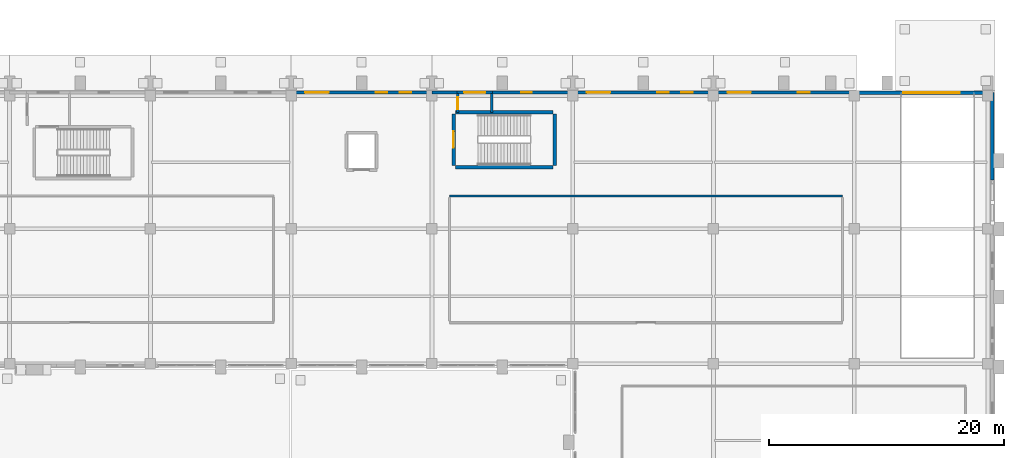
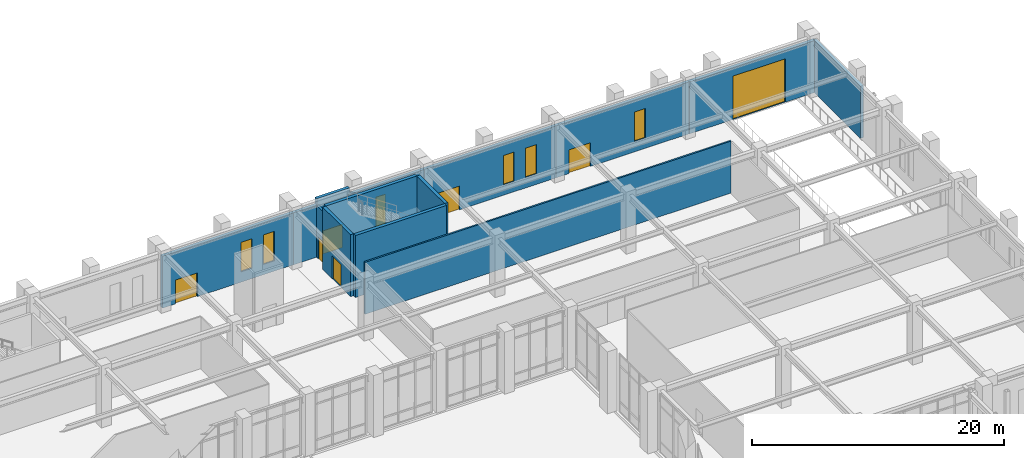
# One storey, part 121 of 143: 15 walls, 7 doors, 6 windows, 13 openings.
"""IFC4 building model written with IfcOpenShell, lengths in metres."""

import ifcopenshell
import ifcopenshell.guid

model = None  # the IFC model being written
_history = None  # IfcOwnerHistory: only IFC2X3 demands one
_inside = {}  # id of a spatial element -> (the spatial element, [elements in it])
_under = {}  # id of a project, library or spatial element -> (it, [spatial elements below it])
_declared = {}  # id of a project -> (the project, [libraries it declares])
_typed = {}  # id of a type object -> (the type object, [elements of that type])
_made_of = {}  # id of a material, layer set ... -> (it, [elements and type objects made of it])


def new_model(schema):
    """Start an empty IFC model of exactly this schema.

    Asked for "IFC4X3", IfcOpenShell would pick the latest addendum, in which some entities
    have other attributes; the version numbers below select the first issue.
    IFC2X3 requires an IfcOwnerHistory on every rooted entity: one is made here for all.
    """
    global model, _history
    if schema == "IFC4X3":
        model = ifcopenshell.file(schema_version=(4, 3, 0, 0))
    else:
        model = ifcopenshell.file(schema=schema)
    _inside.clear()
    _under.clear()
    _declared.clear()
    _typed.clear()
    _made_of.clear()
    _history = None
    if model.schema == "IFC2X3":
        org = make("IfcOrganization", Name="unknown")
        user = make(
            "IfcPersonAndOrganization",
            ThePerson=make("IfcPerson", FamilyName="unknown"),
            TheOrganization=org,
        )
        app = make(
            "IfcApplication",
            ApplicationDeveloper=org,
            Version="unknown",
            ApplicationFullName="unknown",
            ApplicationIdentifier="unknown",
        )
        _history = make(
            "IfcOwnerHistory",
            OwningUser=user,
            OwningApplication=app,
            ChangeAction="ADDED",
            CreationDate=0,
        )
    return model


def make(cls, **values):
    """One entity of the class cls with the attributes given. An attribute that is None is left unset."""
    return model.create_entity(
        cls, **{name: value for name, value in values.items() if value is not None}
    )


def rooted(cls, **values):
    """An entity with a GlobalId (a new one), such as an element, a storey or a relation."""
    return make(cls, GlobalId=ifcopenshell.guid.new(), OwnerHistory=_history, **values)


def si_unit(unit_type, name, prefix=None):
    """IfcSIUnit, for example si_unit("LENGTHUNIT", "METRE", prefix="MILLI")."""
    return make("IfcSIUnit", UnitType=unit_type, Prefix=prefix, Name=name)


def derived_unit(unit_type, elements):
    """IfcDerivedUnit: a product of units, each with its exponent."""
    return make(
        "IfcDerivedUnit",
        Elements=[
            make("IfcDerivedUnitElement", Unit=unit, Exponent=power)
            for unit, power in elements
        ],
        UnitType=unit_type,
    )


def assignment(units):
    """IfcUnitAssignment: the units of a project."""
    return None if units is None else make("IfcUnitAssignment", Units=units)


def point(xyz):
    """IfcCartesianPoint."""
    return None if xyz is None else make("IfcCartesianPoint", Coordinates=xyz)


def direction(xyz):
    """IfcDirection."""
    return None if xyz is None else make("IfcDirection", DirectionRatios=xyz)


def frame(location, z_axis=None, x_axis=None):
    """IfcAxis2Placement3D, a coordinate frame: its origin and axes. An axis left out is left unset."""
    return make(
        "IfcAxis2Placement3D",
        Location=point(location),
        Axis=direction(z_axis),
        RefDirection=direction(x_axis),
    )


def frame_2d(location, x_axis=None):
    """IfcAxis2Placement2D, a coordinate frame in the plane: its origin and x axis."""
    return make(
        "IfcAxis2Placement2D", Location=point(location), RefDirection=direction(x_axis)
    )


def origin():
    """The frame at (0, 0, 0) with its axes left unset."""
    return frame((0.0, 0.0, 0.0))


def place(relative_to, where):
    """IfcLocalPlacement: puts the frame where relative to a parent placement (None: the world)."""
    return make(
        "IfcLocalPlacement", PlacementRelTo=relative_to, RelativePlacement=where
    )


def context(
    kind, dimensions, precision=None, world=None, true_north=None, identifier=None
):
    """IfcGeometricRepresentationContext, for example the 3D "Model" context."""
    return make(
        "IfcGeometricRepresentationContext",
        ContextIdentifier=identifier,
        ContextType=kind,
        CoordinateSpaceDimension=dimensions,
        Precision=precision,
        WorldCoordinateSystem=world,
        TrueNorth=true_north,
    )


def subcontext(parent, identifier, kind, view, scale=None):
    """IfcGeometricRepresentationSubContext, for example "Body" below "Model"."""
    return make(
        "IfcGeometricRepresentationSubContext",
        ContextIdentifier=identifier,
        ContextType=kind,
        ParentContext=parent,
        TargetScale=scale,
        TargetView=view,
    )


def project(units=None, contexts=None):
    """IfcProject with its units and contexts."""
    return rooted(
        "IfcProject",
        Name="project",
        RepresentationContexts=contexts,
        UnitsInContext=assignment(units),
    )


def spatial(cls, under=None, at=None, **own):
    """A site, building, storey or space (cls), placed at a placement, below another one or the project."""
    s = rooted(cls, ObjectPlacement=at, **own)
    if under is not None:
        _under.setdefault(under.id(), (under, []))[1].append(s)
    return s


def profile(cls, at=None, kind="AREA", **sizes):
    """A parametric profile (cls). Its sizes go by their IFC names, for example OverallWidth=200.0."""
    return make(cls, ProfileType=kind, Position=at, **sizes)


def rectangle(**sizes):
    """IfcRectangleProfileDef."""
    return profile("IfcRectangleProfileDef", **sizes)


def extrude(swept, where, along, depth):
    """IfcExtrudedAreaSolid: the profile swept, set in the frame where, extruded along a direction by depth."""
    return make(
        "IfcExtrudedAreaSolid",
        SweptArea=swept,
        Position=where,
        ExtrudedDirection=direction(along),
        Depth=depth,
    )


def shape(context_of_items, identifier, shape_type, items):
    """IfcShapeRepresentation: the items that make up one representation, for example the "Body"."""
    return make(
        "IfcShapeRepresentation",
        ContextOfItems=context_of_items,
        RepresentationIdentifier=identifier,
        RepresentationType=shape_type,
        Items=items,
    )


def material(Name=None, Category=None):
    """IfcMaterial."""
    return make("IfcMaterial", Name=Name, Category=Category)


def layer(
    of_material, thickness, ventilated=None, Name=None, Category=None, Priority=None
):
    """IfcMaterialLayer: one layer of a wall or slab, of a material (None: an air gap)."""
    return make(
        "IfcMaterialLayer",
        Material=of_material,
        LayerThickness=thickness,
        IsVentilated=ventilated,
        Name=Name,
        Category=Category,
        Priority=Priority,
    )


def layer_set(layers, Name=None):
    """IfcMaterialLayerSet."""
    return make("IfcMaterialLayerSet", MaterialLayers=layers, LayerSetName=Name)


def made_of(thing, what):
    """Note that an element or type object is made of a material, layer set ...; save() writes the relation."""
    if what is not None:
        _made_of.setdefault(what.id(), (what, []))[1].append(thing)
    return thing


def type_object(cls, material=None, **own):
    """A type object (cls), such as IfcWallType, which elements share."""
    return made_of(rooted(cls, **own), material)


def element(
    cls,
    number,
    at=None,
    inside=None,
    cuts=None,
    type_object=None,
    material=None,
    context=None,
    identifier="Body",
    shape_type=None,
    held_by="IfcProductDefinitionShape",
    body=None,
    shapes=None,
    **own,
):
    """One element of the class cls, such as IfcWall. Its Tag is "e" and its number.

    at: its placement. inside: the storey or other place that contains it. cuts: it is an
    opening in that element (IfcRelVoidsElement). A single representation is given by context,
    identifier, shape_type and body (its items); several are given by shapes. held_by: the class
    of the entity that holds the representations. save() writes the other relations.
    """
    e = rooted(cls, Tag="e%d" % number, ObjectPlacement=at, **own)
    if body is not None:
        shapes = [shape(context, identifier, shape_type, body)]
    if shapes is not None:
        e.Representation = make(held_by, Representations=shapes)
    if inside is not None:
        _inside.setdefault(inside.id(), (inside, []))[1].append(e)
    if cuts is not None:
        rooted(
            "IfcRelVoidsElement", RelatingBuildingElement=cuts, RelatedOpeningElement=e
        )
    if type_object is not None:
        _typed.setdefault(type_object.id(), (type_object, []))[1].append(e)
    return made_of(e, material)


def fill(opening, filler):
    """IfcRelFillsElement: the door or window that sits in an opening."""
    return rooted(
        "IfcRelFillsElement",
        RelatingOpeningElement=opening,
        RelatedBuildingElement=filler,
    )


def aggregate(whole, parts):
    """IfcRelAggregates: a whole, such as a stair, and the parts it consists of."""
    return rooted("IfcRelAggregates", RelatingObject=whole, RelatedObjects=parts)


def save(model, path):
    """Write the relations noted so far, then the file.

    IfcRelAggregates (storeys below a building ...), IfcRelContainedInSpatialStructure (elements
    in a storey), IfcRelDefinesByType, IfcRelAssociatesMaterial and IfcRelDeclares: one each for
    every whole, place, type object, material and project.
    """
    for whole, parts in _under.values():
        aggregate(whole, parts)
    for where, things in _inside.values():
        rooted(
            "IfcRelContainedInSpatialStructure",
            RelatedElements=things,
            RelatingStructure=where,
        )
    for kind, things in _typed.values():
        rooted("IfcRelDefinesByType", RelatedObjects=things, RelatingType=kind)
    for what, things in _made_of.values():
        rooted("IfcRelAssociatesMaterial", RelatedObjects=things, RelatingMaterial=what)
    for by, libraries in _declared.values():
        rooted("IfcRelDeclares", RelatingContext=by, RelatedDefinitions=libraries)
    model.write(path)


model = new_model("IFC4")

# Units and contexts
model_context = context("Model", 3, precision=1e-05, world=origin(), true_north=direction((0.0, 1.0)))
body_context = subcontext(model_context, "Body", "Model", "MODEL_VIEW")
ifc_project = project(units=[si_unit("LENGTHUNIT", "METRE"), si_unit("AREAUNIT", "SQUARE_METRE"), si_unit("VOLUMEUNIT", "CUBIC_METRE"), si_unit("PLANEANGLEUNIT", "RADIAN"), si_unit("MASSUNIT", "GRAM", prefix="KILO"), derived_unit("THERMALTRANSMITTANCEUNIT", [(si_unit("MASSUNIT", "GRAM", prefix="KILO"), 1), (si_unit("TIMEUNIT", "SECOND"), -3), (si_unit("THERMODYNAMICTEMPERATUREUNIT", "KELVIN"), -1)])], contexts=[model_context])

# Site, building, storey
site_placement = place(None, origin())
site = spatial("IfcSite", under=ifc_project, at=site_placement, CompositionType="ELEMENT")
building_placement = place(site_placement, origin())
building = spatial("IfcBuilding", under=site, at=building_placement, Name="Valcora Ridge Arena", CompositionType="ELEMENT")
storey_placement = place(building_placement, origin())
storey = spatial("IfcBuildingStorey", under=building, at=storey_placement, Name="L00", CompositionType="ELEMENT", Elevation=0.0)

# Wall, openings, door, windows
ifc_material_1 = material(Name="Bush-hammered Andean travertine on concrete backup C40/50", Category="masonry")
ifc_layer_1 = layer(ifc_material_1, 0.280029296875, Name="Bush-hammered Andean travertine on concrete backup C40/50")
ifc_layer_set_1 = layer_set([ifc_layer_1], Name="Bush-hammered Andean travertine on concrete backup C40/50")
wall_type_1 = type_object("IfcWallType", Name="TY-WALL-EW-TRV-28-50", PredefinedType="STANDARD", material=ifc_layer_set_1)
wall_1_placement = place(storey_placement, frame((132.0, 131.820068359375, 0.0), z_axis=(0.0, 0.0, 1.0), x_axis=(1.0, 0.0, 0.0)))
wall_1 = element("IfcWall", 1, at=wall_1_placement, inside=storey, type_object=wall_type_1, Name="EW-TRV-28-50 WAL-EW-0116", PredefinedType="STANDARD", context=body_context, shape_type="SweptSolid", body=[
    extrude(rectangle(XDim=12.0, YDim=0.280029296875, at=frame_2d((6.0, 0.0))), origin(), (0.0, 0.0, 1.0), 5.028076171875),
])
opening_1_placement = place(wall_1_placement, frame((1.199951171875, 0.0, 0.0)))
opening_1 = element("IfcOpeningElement", 2, at=opening_1_placement, cuts=wall_1, Name="Opening D-EXIT-2000", PredefinedType="OPENING", context=body_context, shape_type="SweptSolid", body=[
    extrude(rectangle(XDim=2.0, YDim=2.300048828125, at=frame_2d((1.0, 1.14990234375))), frame((0.0, 0.14990234375, 0.0), z_axis=(0.0, -1.0, 0.0), x_axis=(1.0, 0.0, 0.0)), (0.0, 0.0, 1.0), 0.300048828125),
])
opening_2_placement = place(wall_1_placement, frame((7.199951171875, 0.0, 1.0)))
opening_2 = element("IfcOpeningElement", 3, at=opening_2_placement, cuts=wall_1, Name="Opening W-LAN-100X285", PredefinedType="OPENING", context=body_context, shape_type="SweptSolid", body=[
    extrude(rectangle(XDim=1.0, YDim=2.85009765625, at=frame_2d((0.5, 1.425048828125))), frame((0.0, 0.14990234375, 0.0), z_axis=(0.0, -1.0, 0.0), x_axis=(1.0, 0.0, 0.0)), (0.0, 0.0, 1.0), 0.300048828125),
])
opening_3_placement = place(wall_1_placement, frame((9.25, 0.0, 1.0)))
opening_3 = element("IfcOpeningElement", 4, at=opening_3_placement, cuts=wall_1, Name="Opening W-LAN-100X285", PredefinedType="OPENING", context=body_context, shape_type="SweptSolid", body=[
    extrude(rectangle(XDim=1.0, YDim=2.85009765625, at=frame_2d((0.5, 1.425048828125))), frame((0.0, 0.14990234375, 0.0), z_axis=(0.0, -1.0, 0.0), x_axis=(1.0, 0.0, 0.0)), (0.0, 0.0, 1.0), 0.300048828125),
])
ifc_material_2 = material(Name="Thermally broken bronze aluminium glazed entrance leaf", Category="aluminium")
door_type_1 = type_object("IfcDoorType", Name="TY-DOOR-D-EXIT-2000", OperationType="NOTDEFINED", PredefinedType="DOOR", material=ifc_material_2)
door_1_placement = place(opening_1_placement, origin())
door_1 = element("IfcDoor", 5, at=door_1_placement, inside=storey, type_object=door_type_1, Name="D-EXIT-2000 DOR-EX-0032", OperationType="DOUBLE_DOOR_SINGLE_SWING", OverallHeight=2.300048828125, OverallWidth=2.0, PredefinedType="DOOR", context=body_context, shape_type="SweptSolid", body=[
    extrude(rectangle(XDim=2.0, YDim=2.300048828125, at=frame_2d((1.0, 1.14990234375))), frame((0.0, 0.02490234375, 0.0), z_axis=(0.0, -1.0, 0.0), x_axis=(1.0, 0.0, 0.0)), (0.0, 0.0, 1.0), 0.050048828125),
])
fill(opening_1, door_1)
ifc_material_3 = material(Name="Low-iron solar-control double glazing SHGC 0.28", Category="glass")
window_type_1 = type_object("IfcWindowType", Name="TY-WINDOW-W-LAN-100X285", PartitioningType="DOUBLE_PANEL_VERTICAL", PredefinedType="WINDOW", material=ifc_material_3)
window_1_placement = place(opening_2_placement, origin())
window_1 = element("IfcWindow", 6, at=window_1_placement, inside=storey, type_object=window_type_1, Name="W-LAN-100X285 WIN-EX-0356", OverallHeight=2.85009765625, OverallWidth=1.0, PartitioningType="DOUBLE_PANEL_VERTICAL", PredefinedType="WINDOW", context=body_context, shape_type="SweptSolid", body=[
    extrude(rectangle(XDim=1.0, YDim=2.85009765625, at=frame_2d((0.5, 1.425048828125))), frame((0.0, 0.030029296875, 0.0), z_axis=(0.0, -1.0, 0.0), x_axis=(1.0, 0.0, 0.0)), (0.0, 0.0, 1.0), 0.06005859375),
])
fill(opening_2, window_1)
window_2_placement = place(opening_3_placement, origin())
window_2 = element("IfcWindow", 7, at=window_2_placement, inside=storey, type_object=window_type_1, Name="W-LAN-100X285 WIN-EX-0357", OverallHeight=2.85009765625, OverallWidth=1.0, PartitioningType="DOUBLE_PANEL_VERTICAL", PredefinedType="WINDOW", context=body_context, shape_type="SweptSolid", body=[
    extrude(rectangle(XDim=1.0, YDim=2.85009765625, at=frame_2d((0.5, 1.425048828125))), frame((0.0, 0.030029296875, 0.0), z_axis=(0.0, -1.0, 0.0), x_axis=(1.0, 0.0, 0.0)), (0.0, 0.0, 1.0), 0.06005859375),
])
fill(opening_3, window_2)

# Wall
wall_2_placement = place(storey_placement, frame((144.0, 131.820068359375, 0.0), z_axis=(0.0, 0.0, 1.0), x_axis=(1.0, 0.0, 0.0)))
element("IfcWall", 8, at=wall_2_placement, inside=storey, type_object=wall_type_1, Name="EW-TRV-28-50 WAL-EW-0117", PredefinedType="STANDARD", context=body_context, shape_type="SweptSolid", body=[
    extrude(rectangle(XDim=2.14990234375, YDim=0.280029296875, at=frame_2d((1.074951171875, 0.0))), origin(), (0.0, 0.0, 1.0), 5.028076171875),
])

# Wall, opening, window
wall_3_placement = place(storey_placement, frame((149.14990234375, 131.820068359375, 0.0), z_axis=(0.0, 0.0, 1.0), x_axis=(1.0, 0.0, 0.0)))
wall_3 = element("IfcWall", 9, at=wall_3_placement, inside=storey, type_object=wall_type_1, Name="EW-TRV-28-50 WAL-EW-0118", PredefinedType="STANDARD", context=body_context, shape_type="SweptSolid", body=[
    extrude(rectangle(XDim=6.85009765625, YDim=0.280029296875, at=frame_2d((3.425048828125, 0.0))), origin(), (0.0, 0.0, 1.0), 5.028076171875),
])
opening_4_placement = place(wall_3_placement, frame((2.449951171875, 0.0, 0.949951171875)))
opening_4 = element("IfcOpeningElement", 10, at=opening_4_placement, cuts=wall_3, Name="Opening W-GLAN-90X285", PredefinedType="OPENING", context=body_context, shape_type="SweptSolid", body=[
    extrude(rectangle(XDim=0.89990234375, YDim=2.85009765625, at=frame_2d((0.449951171875, 1.425048828125))), frame((0.0, 0.14990234375, 0.0), z_axis=(0.0, -1.0, 0.0), x_axis=(1.0, 0.0, 0.0)), (0.0, 0.0, 1.0), 0.300048828125),
])
window_type_2 = type_object("IfcWindowType", Name="TY-WINDOW-W-GLAN-90X285", PartitioningType="DOUBLE_PANEL_VERTICAL", PredefinedType="WINDOW", material=ifc_material_3)
window_3_placement = place(opening_4_placement, origin())
window_3 = element("IfcWindow", 11, at=window_3_placement, inside=storey, type_object=window_type_2, Name="W-GLAN-90X285 WIN-EX-0358", OverallHeight=2.85009765625, OverallWidth=0.89990234375, PartitioningType="DOUBLE_PANEL_VERTICAL", PredefinedType="WINDOW", context=body_context, shape_type="SweptSolid", body=[
    extrude(rectangle(XDim=0.89990234375, YDim=2.85009765625, at=frame_2d((0.449951171875, 1.425048828125))), frame((0.0, 0.030029296875, 0.0), z_axis=(0.0, -1.0, 0.0), x_axis=(1.0, 0.0, 0.0)), (0.0, 0.0, 1.0), 0.06005859375),
])
fill(opening_4, window_3)

# Wall, openings, door, windows
wall_4_placement = place(storey_placement, frame((156.0, 131.820068359375, 0.0), z_axis=(0.0, 0.0, 1.0), x_axis=(1.0, 0.0, 0.0)))
wall_4 = element("IfcWall", 12, at=wall_4_placement, inside=storey, type_object=wall_type_1, Name="EW-TRV-28-50 WAL-EW-0119", PredefinedType="STANDARD", context=body_context, shape_type="SweptSolid", body=[
    extrude(rectangle(XDim=12.0, YDim=0.280029296875, at=frame_2d((6.0, 0.0))), origin(), (0.0, 0.0, 1.0), 5.028076171875),
])
opening_5_placement = place(wall_4_placement, frame((1.199951171875, 0.0, 0.0)))
opening_5 = element("IfcOpeningElement", 13, at=opening_5_placement, cuts=wall_4, Name="Opening D-EXIT-2000", PredefinedType="OPENING", context=body_context, shape_type="SweptSolid", body=[
    extrude(rectangle(XDim=2.0, YDim=2.300048828125, at=frame_2d((1.0, 1.14990234375))), frame((0.0, 0.14990234375, 0.0), z_axis=(0.0, -1.0, 0.0), x_axis=(1.0, 0.0, 0.0)), (0.0, 0.0, 1.0), 0.300048828125),
])
opening_6_placement = place(wall_4_placement, frame((7.199951171875, 0.0, 1.0)))
opening_6 = element("IfcOpeningElement", 14, at=opening_6_placement, cuts=wall_4, Name="Opening W-LAN-100X285", PredefinedType="OPENING", context=body_context, shape_type="SweptSolid", body=[
    extrude(rectangle(XDim=1.0, YDim=2.85009765625, at=frame_2d((0.5, 1.425048828125))), frame((0.0, 0.14990234375, 0.0), z_axis=(0.0, -1.0, 0.0), x_axis=(1.0, 0.0, 0.0)), (0.0, 0.0, 1.0), 0.300048828125),
])
opening_7_placement = place(wall_4_placement, frame((9.25, 0.0, 1.0)))
opening_7 = element("IfcOpeningElement", 15, at=opening_7_placement, cuts=wall_4, Name="Opening W-LAN-100X285", PredefinedType="OPENING", context=body_context, shape_type="SweptSolid", body=[
    extrude(rectangle(XDim=1.0, YDim=2.85009765625, at=frame_2d((0.5, 1.425048828125))), frame((0.0, 0.14990234375, 0.0), z_axis=(0.0, -1.0, 0.0), x_axis=(1.0, 0.0, 0.0)), (0.0, 0.0, 1.0), 0.300048828125),
])
door_2_placement = place(opening_5_placement, origin())
door_2 = element("IfcDoor", 16, at=door_2_placement, inside=storey, type_object=door_type_1, Name="D-EXIT-2000 DOR-EX-0033", OperationType="DOUBLE_DOOR_SINGLE_SWING", OverallHeight=2.300048828125, OverallWidth=2.0, PredefinedType="DOOR", context=body_context, shape_type="SweptSolid", body=[
    extrude(rectangle(XDim=2.0, YDim=2.300048828125, at=frame_2d((1.0, 1.14990234375))), frame((0.0, 0.02490234375, 0.0), z_axis=(0.0, -1.0, 0.0), x_axis=(1.0, 0.0, 0.0)), (0.0, 0.0, 1.0), 0.050048828125),
])
fill(opening_5, door_2)
window_4_placement = place(opening_6_placement, origin())
window_4 = element("IfcWindow", 17, at=window_4_placement, inside=storey, type_object=window_type_1, Name="W-LAN-100X285 WIN-EX-0359", OverallHeight=2.85009765625, OverallWidth=1.0, PartitioningType="DOUBLE_PANEL_VERTICAL", PredefinedType="WINDOW", context=body_context, shape_type="SweptSolid", body=[
    extrude(rectangle(XDim=1.0, YDim=2.85009765625, at=frame_2d((0.5, 1.425048828125))), frame((0.0, 0.030029296875, 0.0), z_axis=(0.0, -1.0, 0.0), x_axis=(1.0, 0.0, 0.0)), (0.0, 0.0, 1.0), 0.06005859375),
])
fill(opening_6, window_4)
window_5_placement = place(opening_7_placement, origin())
window_5 = element("IfcWindow", 18, at=window_5_placement, inside=storey, type_object=window_type_1, Name="W-LAN-100X285 WIN-EX-0360", OverallHeight=2.85009765625, OverallWidth=1.0, PartitioningType="DOUBLE_PANEL_VERTICAL", PredefinedType="WINDOW", context=body_context, shape_type="SweptSolid", body=[
    extrude(rectangle(XDim=1.0, YDim=2.85009765625, at=frame_2d((0.5, 1.425048828125))), frame((0.0, 0.030029296875, 0.0), z_axis=(0.0, -1.0, 0.0), x_axis=(1.0, 0.0, 0.0)), (0.0, 0.0, 1.0), 0.06005859375),
])
fill(opening_7, window_5)

# Wall, openings, door, window
wall_5_placement = place(storey_placement, frame((168.0, 131.820068359375, 0.0), z_axis=(0.0, 0.0, 1.0), x_axis=(1.0, 0.0, 0.0)))
wall_5 = element("IfcWall", 19, at=wall_5_placement, inside=storey, type_object=wall_type_1, Name="EW-TRV-28-50 WAL-EW-0120", PredefinedType="STANDARD", context=body_context, shape_type="SweptSolid", body=[
    extrude(rectangle(XDim=12.199951171875, YDim=0.280029296875, at=frame_2d((6.10009765625, 0.0))), origin(), (0.0, 0.0, 1.0), 5.028076171875),
])
opening_8_placement = place(wall_5_placement, frame((1.199951171875, 0.0, 0.0)))
opening_8 = element("IfcOpeningElement", 20, at=opening_8_placement, cuts=wall_5, Name="Opening D-EXIT-2000", PredefinedType="OPENING", context=body_context, shape_type="SweptSolid", body=[
    extrude(rectangle(XDim=2.0, YDim=2.300048828125, at=frame_2d((1.0, 1.14990234375))), frame((0.0, 0.14990234375, 0.0), z_axis=(0.0, -1.0, 0.0), x_axis=(1.0, 0.0, 0.0)), (0.0, 0.0, 1.0), 0.300048828125),
])
opening_9_placement = place(wall_5_placement, frame((7.199951171875, 0.0, 1.0)))
opening_9 = element("IfcOpeningElement", 21, at=opening_9_placement, cuts=wall_5, Name="Opening W-LAN-100X285", PredefinedType="OPENING", context=body_context, shape_type="SweptSolid", body=[
    extrude(rectangle(XDim=1.0, YDim=2.85009765625, at=frame_2d((0.5, 1.425048828125))), frame((0.0, 0.14990234375, 0.0), z_axis=(0.0, -1.0, 0.0), x_axis=(1.0, 0.0, 0.0)), (0.0, 0.0, 1.0), 0.300048828125),
])
door_3_placement = place(opening_8_placement, origin())
door_3 = element("IfcDoor", 22, at=door_3_placement, inside=storey, type_object=door_type_1, Name="D-EXIT-2000 DOR-EX-0034", OperationType="DOUBLE_DOOR_SINGLE_SWING", OverallHeight=2.300048828125, OverallWidth=2.0, PredefinedType="DOOR", context=body_context, shape_type="SweptSolid", body=[
    extrude(rectangle(XDim=2.0, YDim=2.300048828125, at=frame_2d((1.0, 1.14990234375))), frame((0.0, 0.02490234375, 0.0), z_axis=(0.0, -1.0, 0.0), x_axis=(1.0, 0.0, 0.0)), (0.0, 0.0, 1.0), 0.050048828125),
])
fill(opening_8, door_3)
window_6_placement = place(opening_9_placement, origin())
window_6 = element("IfcWindow", 23, at=window_6_placement, inside=storey, type_object=window_type_1, Name="W-LAN-100X285 WIN-EX-0361", OverallHeight=2.85009765625, OverallWidth=1.0, PartitioningType="DOUBLE_PANEL_VERTICAL", PredefinedType="WINDOW", context=body_context, shape_type="SweptSolid", body=[
    extrude(rectangle(XDim=1.0, YDim=2.85009765625, at=frame_2d((0.5, 1.425048828125))), frame((0.0, 0.030029296875, 0.0), z_axis=(0.0, -1.0, 0.0), x_axis=(1.0, 0.0, 0.0)), (0.0, 0.0, 1.0), 0.06005859375),
])
fill(opening_9, window_6)

# Wall
wall_6_placement = place(storey_placement, frame((191.780029296875, 124.35009765625, 0.0), z_axis=(0.0, 0.0, 1.0), x_axis=(0.0, 1.0, 0.0)))
element("IfcWall", 24, at=wall_6_placement, inside=storey, type_object=wall_type_1, Name="EW-TRV-28-50 WAL-EW-0125", PredefinedType="STANDARD", context=body_context, shape_type="SweptSolid", body=[
    extrude(rectangle(XDim=7.449951171875, YDim=0.280029296875, at=frame_2d((3.72509765625, 0.0))), origin(), (0.0, 0.0, 1.0), 5.028076171875),
])

# Wall, opening, door
ifc_layer_2 = layer(ifc_material_1, 0.300048828125, Name="Bush-hammered Andean travertine on concrete backup C40/50")
ifc_layer_set_2 = layer_set([ifc_layer_2], Name="Bush-hammered Andean travertine on concrete backup C40/50")
wall_type_2 = type_object("IfcWallType", Name="TY-WALL-EW-TRV-30-50", PredefinedType="STANDARD", material=ifc_layer_set_2)
wall_7_placement = place(storey_placement, frame((180.199951171875, 131.800048828125, 0.0), z_axis=(0.0, 0.0, 1.0), x_axis=(1.0, 0.0, 0.0)))
wall_7 = element("IfcWall", 25, at=wall_7_placement, inside=storey, type_object=wall_type_2, Name="EW-TRV-30-50 WAL-EW-0104", PredefinedType="STANDARD", context=body_context, shape_type="SweptSolid", body=[
    extrude(rectangle(XDim=11.580078125, YDim=0.300048828125, at=frame_2d((5.7900390625, 0.0))), origin(), (0.0, 0.0, 1.0), 5.028076171875),
])
opening_10_placement = place(wall_7_placement, frame((4.0, 0.0, 0.0)))
opening_10 = element("IfcOpeningElement", 26, at=opening_10_placement, cuts=wall_7, Name="Opening RS-01", PredefinedType="OPENING", context=body_context, shape_type="SweptSolid", body=[
    extrude(rectangle(XDim=4.800048828125, YDim=4.199951171875, at=frame_2d((2.39990234375, 2.10009765625))), frame((0.0, 0.159912109375, 0.0), z_axis=(0.0, -1.0, 0.0), x_axis=(1.0, 0.0, 0.0)), (0.0, 0.0, 1.0), 0.320068359375),
])
ifc_material_4 = material(Name="Acoustic insulated galvanized steel roller shutter", Category="steel")
door_type_2 = type_object("IfcDoorType", Name="TY-DOOR-RS-01", OperationType="NOTDEFINED", PredefinedType="DOOR", material=ifc_material_4)
door_4_placement = place(opening_10_placement, origin())
door_4 = element("IfcDoor", 27, at=door_4_placement, inside=storey, type_object=door_type_2, Name="RS-01 DOR-EX-0024", OperationType="ROLLINGUP", OverallHeight=4.199951171875, OverallWidth=4.800048828125, PredefinedType="DOOR", context=body_context, shape_type="SweptSolid", body=[
    extrude(rectangle(XDim=4.800048828125, YDim=4.199951171875, at=frame_2d((2.39990234375, 2.10009765625))), frame((0.0, 0.02490234375, 0.0), z_axis=(0.0, -1.0, 0.0), x_axis=(1.0, 0.0, 0.0)), (0.0, 0.0, 1.0), 0.050048828125),
])
fill(opening_10, door_4)

ifc_layer_3 = layer(ifc_material_1, 0.280029296875, Name="Bush-hammered Andean travertine on concrete backup C40/50")
ifc_layer_set_3 = layer_set([ifc_layer_3], Name="Bush-hammered Andean travertine on concrete backup C40/50")
wall_type_3 = type_object("IfcWallType", Name="TY-WALL-EW-TRV-XP-56", PredefinedType="STANDARD", material=ifc_layer_set_3)
wall_8_placement = place(storey_placement, frame((146.14990234375, 131.820068359375, 0.0), z_axis=(0.0, 0.0, 1.0), x_axis=(1.0, 0.0, 0.0)))
wall_8 = element("IfcWall", 28, at=wall_8_placement, inside=storey, type_object=wall_type_3, Name="EW-TRV-XP-56 WAL-XP-0032", PredefinedType="STANDARD", context=body_context, shape_type="SweptSolid", body=[
    extrude(rectangle(XDim=3.0, YDim=0.280029296875, at=frame_2d((1.5, 0.0))), origin(), (0.0, 0.0, 1.0), 5.639892578125),
])
opening_11_placement = place(wall_8_placement, frame((0.60009765625, 0.0, 0.0)))
opening_11 = element("IfcOpeningElement", 29, at=opening_11_placement, cuts=wall_8, Name="Opening D-EXP-1800", PredefinedType="OPENING", context=body_context, shape_type="SweptSolid", body=[
    extrude(rectangle(XDim=1.800048828125, YDim=2.25, at=frame_2d((0.89990234375, 1.125))), frame((0.0, 0.14990234375, 0.0), z_axis=(0.0, -1.0, 0.0), x_axis=(1.0, 0.0, 0.0)), (0.0, 0.0, 1.0), 0.300048828125),
])
ifc_material_5 = material(Name="Insulated fire-rated steel door leaf", Category="steel")
door_type_3 = type_object("IfcDoorType", Name="TY-DOOR-D-EXP-1800", OperationType="NOTDEFINED", PredefinedType="DOOR", material=ifc_material_5)
door_5_placement = place(opening_11_placement, origin())
door_5 = element("IfcDoor", 30, at=door_5_placement, inside=storey, type_object=door_type_3, Name="Final Exit Discharge Door ST10", OperationType="DOUBLE_DOOR_SINGLE_SWING", OverallHeight=2.25, OverallWidth=1.800048828125, PredefinedType="DOOR", context=body_context, shape_type="SweptSolid", body=[
    extrude(rectangle(XDim=1.800048828125, YDim=2.25, at=frame_2d((0.89990234375, 1.125))), frame((0.0, 0.02490234375, 0.0), z_axis=(0.0, -1.0, 0.0), x_axis=(1.0, 0.0, 0.0)), (0.0, 0.0, 1.0), 0.050048828125),
])
fill(opening_11, door_5)

# Wall
ifc_material_6 = material(Name="Fire-rated masonry-core compartment wall C35/45 150 mm", Category="masonry")
ifc_layer_4 = layer(ifc_material_6, 0.14990234375, Name="Fire-rated masonry-core compartment wall C35/45 150 mm")
ifc_layer_set_4 = layer_set([ifc_layer_4], Name="Fire-rated masonry-core compartment wall C35/45 150 mm")
wall_type_4 = type_object("IfcWallType", Name="TY-WALL-IW-COMP-150", PredefinedType="STANDARD", material=ifc_layer_set_4)
wall_9_placement = place(storey_placement, frame((145.5, 123.0, 0.0), z_axis=(0.0, 0.0, 1.0), x_axis=(1.0, 0.0, 0.0)))
element("IfcWall", 31, at=wall_9_placement, inside=storey, type_object=wall_type_4, Name="IW-COMP-150 WAL-IN-0282", PredefinedType="STANDARD", context=body_context, shape_type="SweptSolid", body=[
    extrude(rectangle(XDim=33.5, YDim=0.14990234375, at=frame_2d((16.75, 0.0))), origin(), (0.0, 0.0, 1.0), 5.028076171875),
])

# Wall, opening, door
ifc_material_7 = material(Name="Fire-resisting reinforced concrete enclosure C40/50 200 mm", Category="concrete")
ifc_layer_5 = layer(ifc_material_7, 0.199951171875, Name="Fire-resisting reinforced concrete enclosure C40/50 200 mm")
ifc_layer_set_5 = layer_set([ifc_layer_5], Name="Fire-resisting reinforced concrete enclosure C40/50 200 mm")
wall_type_5 = type_object("IfcWallType", Name="TY-WALL-IW-FIRE-200", PredefinedType="STANDARD", material=ifc_layer_set_5)
wall_10_placement = place(storey_placement, frame((146.199951171875, 130.10009765625, 0.0), z_axis=(0.0, 0.0, 1.0), x_axis=(0.0, 1.0, 0.0)))
wall_10 = element("IfcWall", 32, at=wall_10_placement, inside=storey, type_object=wall_type_5, Name="IW-FIRE-200 WAL-XP-0033", PredefinedType="STANDARD", context=body_context, shape_type="SweptSolid", body=[
    extrude(rectangle(XDim=1.619873046875, YDim=0.199951171875, at=frame_2d((0.81005859375, 0.0))), origin(), (0.0, 0.0, 1.0), 5.028076171875),
])
opening_12_placement = place(wall_10_placement, frame((0.31005859375, 0.0, 0.0)))
opening_12 = element("IfcOpeningElement", 33, at=opening_12_placement, cuts=wall_10, Name="Opening FD-STE-1000", PredefinedType="OPENING", context=body_context, shape_type="SweptSolid", body=[
    extrude(rectangle(XDim=1.0, YDim=2.14990234375, at=frame_2d((0.5, 1.074951171875))), frame((0.0, 0.10986328125, 0.0), z_axis=(0.0, -1.0, 0.0), x_axis=(1.0, 0.0, 0.0)), (0.0, 0.0, 1.0), 0.219970703125),
])
door_type_4 = type_object("IfcDoorType", Name="TY-DOOR-FD-STE-1000", OperationType="NOTDEFINED", PredefinedType="DOOR", material=ifc_material_5)
door_6_placement = place(opening_12_placement, origin())
door_6 = element("IfcDoor", 34, at=door_6_placement, inside=storey, type_object=door_type_4, Name="FD-STE-1000 DOR-XP-0022", OperationType="SINGLE_SWING_RIGHT", OverallHeight=2.14990234375, OverallWidth=1.0, PredefinedType="DOOR", context=body_context, shape_type="SweptSolid", body=[
    extrude(rectangle(XDim=1.0, YDim=2.14990234375, at=frame_2d((0.5, 1.074951171875))), frame((0.0, 0.02490234375, 0.0), z_axis=(0.0, -1.0, 0.0), x_axis=(1.0, 0.0, 0.0)), (0.0, 0.0, 1.0), 0.050048828125),
])
fill(opening_12, door_6)

# Walls
wall_11_placement = place(storey_placement, frame((149.10009765625, 130.10009765625, 0.0), z_axis=(0.0, 0.0, 1.0), x_axis=(0.0, 1.0, 0.0)))
element("IfcWall", 35, at=wall_11_placement, inside=storey, type_object=wall_type_5, Name="IW-FIRE-200 WAL-XP-0034", PredefinedType="STANDARD", context=body_context, shape_type="SweptSolid", body=[
    extrude(rectangle(XDim=1.619873046875, YDim=0.199951171875, at=frame_2d((0.81005859375, 0.0))), origin(), (0.0, 0.0, 1.0), 5.028076171875),
])
ifc_material_8 = material(Name="Concrete C45/55", Category="concrete")
ifc_layer_6 = layer(ifc_material_8, 0.300048828125, Name="Concrete C45/55")
ifc_layer_set_6 = layer_set([ifc_layer_6], Name="Concrete C45/55")
wall_type_6 = type_object("IfcWallType", Name="TY-WALL-SW-C300-L", PredefinedType="SHEAR", material=ifc_layer_set_6)
for number, where, z_axis, x_axis, name in (
    (36, (146.0, 125.449951171875, 0.0), (0.0, 0.0, 1.0), (1.0, 0.0, 0.0), "SW-C300-L WAL-CR-0201"),
    (37, (146.0, 130.14990234375, 0.0), (0.0, 0.0, 1.0), (1.0, 0.0, 0.0), "SW-C300-L WAL-CR-0202"),
):
    element("IfcWall", number, at=place(storey_placement, frame(where, z_axis=z_axis, x_axis=x_axis)), inside=storey, type_object=wall_type_6, Name=name, PredefinedType="SHEAR", context=body_context, shape_type="SweptSolid", body=[
        extrude(rectangle(XDim=8.320068359375, YDim=0.300048828125, at=frame_2d((4.16015625, 0.0))), origin(), (0.0, 0.0, 1.0), 6.0),
    ])

# Wall, opening, door
ifc_layer_7 = layer(ifc_material_8, 0.300048828125, Name="Concrete C45/55")
ifc_layer_set_7 = layer_set([ifc_layer_7], Name="Concrete C45/55")
wall_type_7 = type_object("IfcWallType", Name="TY-WALL-SW-C300-S", PredefinedType="SHEAR", material=ifc_layer_set_7)
wall_12_placement = place(storey_placement, frame((145.85009765625, 125.60009765625, 0.0), z_axis=(0.0, 0.0, 1.0), x_axis=(0.0, 1.0, 0.0)))
wall_12 = element("IfcWall", 38, at=wall_12_placement, inside=storey, type_object=wall_type_7, Name="SW-C300-S WAL-CR-0203", PredefinedType="SHEAR", context=body_context, shape_type="SweptSolid", body=[
    extrude(rectangle(XDim=4.39990234375, YDim=0.300048828125, at=frame_2d((2.199951171875, 0.0))), origin(), (0.0, 0.0, 1.0), 6.0),
])
opening_13_placement = place(wall_12_placement, frame((1.5, 0.0, 0.0)))
opening_13 = element("IfcOpeningElement", 39, at=opening_13_placement, cuts=wall_12, Name="Opening FD-01", PredefinedType="OPENING", context=body_context, shape_type="SweptSolid", body=[
    extrude(rectangle(XDim=1.39990234375, YDim=2.199951171875, at=frame_2d((0.699951171875, 1.10009765625))), frame((0.0, 0.159912109375, 0.0), z_axis=(0.0, -1.0, 0.0), x_axis=(1.0, 0.0, 0.0)), (0.0, 0.0, 1.0), 0.320068359375),
])
door_type_5 = type_object("IfcDoorType", Name="TY-DOOR-FD-01", OperationType="NOTDEFINED", PredefinedType="DOOR", material=ifc_material_5)
door_7_placement = place(opening_13_placement, origin())
door_7 = element("IfcDoor", 40, at=door_7_placement, inside=storey, type_object=door_type_5, Name="FD-01 DOR-ST-0051", OperationType="DOUBLE_DOOR_SINGLE_SWING", OverallHeight=2.199951171875, OverallWidth=1.39990234375, PredefinedType="DOOR", context=body_context, shape_type="SweptSolid", body=[
    extrude(rectangle(XDim=1.39990234375, YDim=2.199951171875, at=frame_2d((0.699951171875, 1.10009765625))), frame((0.0, 0.02490234375, 0.0), z_axis=(0.0, -1.0, 0.0), x_axis=(1.0, 0.0, 0.0)), (0.0, 0.0, 1.0), 0.050048828125),
])
fill(opening_13, door_7)

# Wall
wall_13_placement = place(storey_placement, frame((154.469970703125, 125.60009765625, 0.0), z_axis=(0.0, 0.0, 1.0), x_axis=(0.0, 1.0, 0.0)))
element("IfcWall", 41, at=wall_13_placement, inside=storey, type_object=wall_type_7, Name="SW-C300-S WAL-CR-0204", PredefinedType="SHEAR", context=body_context, shape_type="SweptSolid", body=[
    extrude(rectangle(XDim=4.39990234375, YDim=0.300048828125, at=frame_2d((2.199951171875, 0.0))), origin(), (0.0, 0.0, 1.0), 6.0),
])

save(model, "model.ifc")
